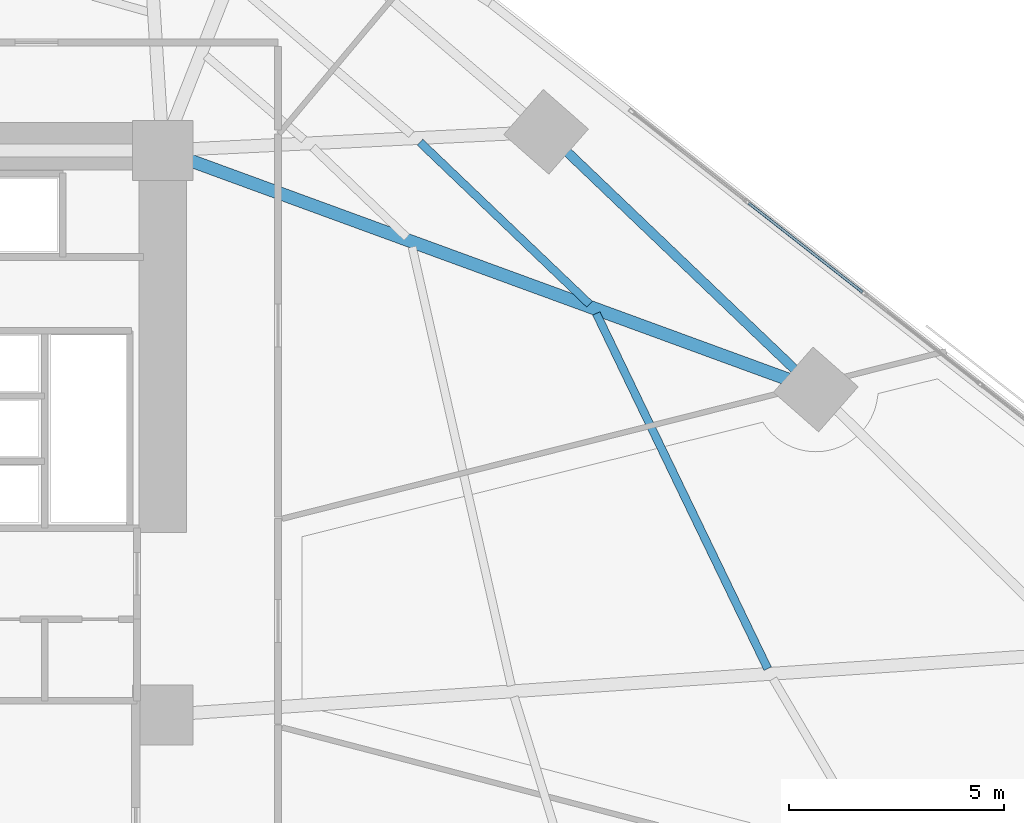
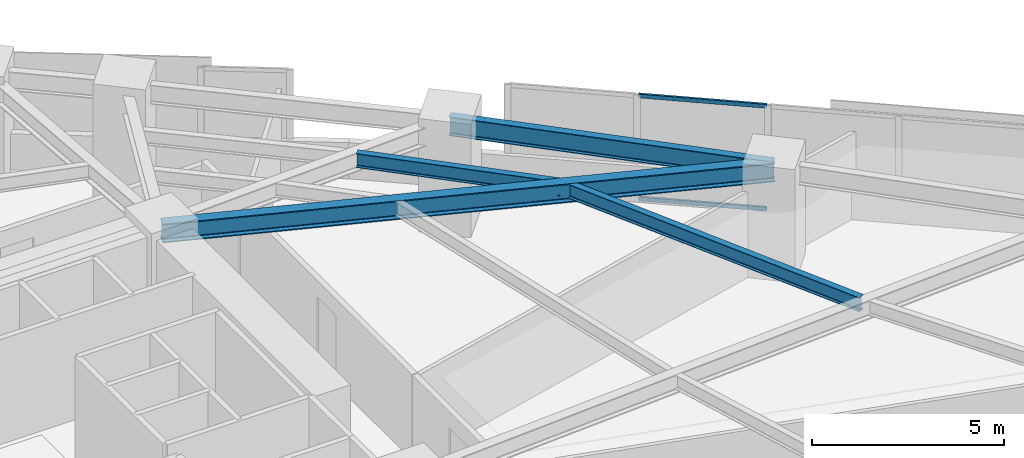
# One storey, part 6 of 16: 4 beams, 2 members, 1 element without a shape of its own.
"""IFC4 building model written with IfcOpenShell, lengths in metres."""

from ifc_helpers import new_model, si_unit, direction, frame, origin, origin_2d, place, context, subcontext, project, spatial, hollow_rectangle, i_section, extrude, material, material_profile, profile_set, type_object, element, aggregate, save


model = new_model("IFC4")

# Units and contexts
model_context = context("Model", 3, precision=1e-05, world=origin(), true_north=direction((0.0, 1.0)))
body_context = subcontext(model_context, "Body", "Model", "MODEL_VIEW")
ifc_project = project(units=[si_unit("LENGTHUNIT", "METRE"), si_unit("AREAUNIT", "SQUARE_METRE"), si_unit("VOLUMEUNIT", "CUBIC_METRE"), si_unit("PLANEANGLEUNIT", "RADIAN"), si_unit("MASSUNIT", "GRAM", prefix="KILO")], contexts=[model_context])

# Site, building, storey
site_placement = place(None, origin())
site = spatial("IfcSite", under=ifc_project, at=site_placement, CompositionType="ELEMENT")
building_placement = place(site_placement, origin())
building = spatial("IfcBuilding", under=site, at=building_placement, Name="Narakoshi Arena Tower", CompositionType="ELEMENT")
storey_placement = place(building_placement, frame((0.0, 0.0, 66.89990234375)))
storey = spatial("IfcBuildingStorey", under=building, at=storey_placement, Name="L17", CompositionType="ELEMENT", Elevation=66.89990234375)

# Beams
ifc_material_1 = material(Name="Structural steel S355J2", Category="steel")
ifc_material_profile_1 = material_profile(ifc_material_1, i_section(OverallWidth=0.219970703125, OverallDepth=0.60009765625, WebThickness=0.011962890625, FlangeThickness=0.01904296875, FilletRadius=0.02392578125, at=origin_2d()), Name="IPE600")
ifc_profile_set_1 = profile_set([ifc_material_profile_1], Name="Structural steel S355J2")
beam_type_1 = type_object("IfcBeamType", Name="BM-EDGE-600", PredefinedType="BEAM", material=ifc_profile_set_1)
beam_1_placement = place(storey_placement, frame((100.76318359375, 50.931640625, 3.0400390625), z_axis=(-0.723088904438, 0.690754975572, 0.0), x_axis=(-0.690754975572, -0.723088904438, 0.0)))
element("IfcBeam", 1, at=beam_1_placement, inside=storey, type_object=beam_type_1, Name="L17 Perimeter Edge Girder 07", PredefinedType="BEAM", context=body_context, shape_type="SweptSolid", body=[
    extrude(i_section(OverallWidth=0.219970703125, OverallDepth=0.60009765625, WebThickness=0.011962890625, FlangeThickness=0.01904296875, FilletRadius=0.02392578125, at=origin_2d()), origin(), (0.0, 0.0, 1.0), 8.690673828125),
])
ifc_material_profile_2 = material_profile(ifc_material_1, i_section(OverallWidth=0.300048828125, OverallDepth=0.60009765625, WebThickness=0.015380859375, FlangeThickness=0.030029296875, FilletRadius=0.027099609375, at=origin_2d()), Name="HE600B")
ifc_profile_set_2 = profile_set([ifc_material_profile_2], Name="Structural steel S355J2")
beam_type_2 = type_object("IfcBeamType", Name="BM-PRI-600", PredefinedType="BEAM", material=ifc_profile_set_2)
beam_2_placement = place(storey_placement, frame((85.550048828125, 56.5, 3.0400390625), z_axis=(0.939071487396, -0.343721895664, 0.0), x_axis=(0.343721895664, 0.939071487396, 0.0)))
element("IfcBeam", 2, at=beam_2_placement, inside=storey, type_object=beam_type_2, Name="L17 Radial Primary Floor Girder 07", PredefinedType="BEAM", context=body_context, shape_type="SweptSolid", body=[
    extrude(i_section(OverallWidth=0.300048828125, OverallDepth=0.60009765625, WebThickness=0.015380859375, FlangeThickness=0.030029296875, FilletRadius=0.027099609375, at=origin_2d()), origin(), (0.0, 0.0, 1.0), 16.2001953125),
])
ifc_material_profile_3 = material_profile(ifc_material_1, i_section(OverallWidth=0.18994140625, OverallDepth=0.449951171875, WebThickness=0.009521484375, FlangeThickness=0.0146484375, FilletRadius=0.02099609375, at=origin_2d()), Name="IPE450")
ifc_profile_set_3 = profile_set([ifc_material_profile_3], Name="Structural steel S355J2")
beam_type_3 = type_object("IfcBeamType", Name="BM-SEC-450", PredefinedType="JOIST", material=ifc_profile_set_3)
beam_3_placement = place(storey_placement, frame((99.6416015625, 44.428955078125, 3.114990234375), z_axis=(-0.434540970974, 0.900652066308, 0.0), x_axis=(-0.900652066308, -0.434540970974, 0.0)))
element("IfcBeam", 3, at=beam_3_placement, inside=storey, type_object=beam_type_3, Name="L17 Composite Secondary Floor Joist 04", PredefinedType="JOIST", context=body_context, shape_type="SweptSolid", body=[
    extrude(i_section(OverallWidth=0.18994140625, OverallDepth=0.449951171875, WebThickness=0.009521484375, FlangeThickness=0.0146484375, FilletRadius=0.02099609375, at=origin_2d()), origin(), (0.0, 0.0, 1.0), 9.187255859375),
])
beam_4_placement = place(storey_placement, frame((95.4931640625, 52.918212890625, 3.114990234375), z_axis=(-0.723113139165, 0.690729605538, 0.0), x_axis=(-0.690729605538, -0.723113139165, 0.0)))
element("IfcBeam", 4, at=beam_4_placement, inside=storey, type_object=beam_type_3, Name="L17 Composite Secondary Floor Joist 06", PredefinedType="JOIST", context=body_context, shape_type="SweptSolid", body=[
    extrude(i_section(OverallWidth=0.18994140625, OverallDepth=0.449951171875, WebThickness=0.009521484375, FlangeThickness=0.0146484375, FilletRadius=0.02099609375, at=origin_2d()), origin(), (0.0, 0.0, 1.0), 5.4658203125),
])

# Curtain wall, members
ifc_material_2 = material(Name="Anodised bronze aluminium 6063-T6", Category="aluminium")
curtain_wall_type = type_object("IfcCurtainWallType", Name="CW-HYP-LOW", PredefinedType="NOTDEFINED", material=ifc_material_2)
curtain_wall_placement = place(storey_placement, origin())
curtain_wall = element("IfcCurtainWall", 5, at=curtain_wall_placement, inside=storey, type_object=curtain_wall_type, Name="L17 Folded Hypotenuse Curtain Wall 1-1", PredefinedType="NOTDEFINED")
ifc_material_profile_4 = material_profile(ifc_material_2, hollow_rectangle(XDim=0.06494140625, YDim=0.1298828125, WallThickness=0.00390625, OuterFilletRadius=0.0048828125, at=origin_2d()), Name="TRN130x65x4")
ifc_profile_set_4 = profile_set([ifc_material_profile_4], Name="Anodised bronze aluminium 6063-T6")
member_type = type_object("IfcMemberType", Name="MEM-TRN-130", PredefinedType="USERDEFINED", material=ifc_profile_set_4)
member_1_placement = place(storey_placement, frame((101.851806640625, 53.196533203125, 0.03271484375), z_axis=(-0.787400998112, 0.616441131149, 0.0), x_axis=(-0.616441131149, -0.787400998112, 0.0)))
member_1 = element("IfcMember", 6, at=member_1_placement, type_object=member_type, Name="CW-01 transom 8.1", ObjectType="TRANSOM", PredefinedType="USERDEFINED", context=body_context, shape_type="SweptSolid", body=[
    extrude(hollow_rectangle(XDim=0.06494140625, YDim=0.1298828125, WallThickness=0.00390625, OuterFilletRadius=0.0048828125, at=origin_2d()), origin(), (0.0, 0.0, 1.0), 3.368896484375),
])
member_2_placement = place(storey_placement, frame((101.851806640625, 53.196533203125, 3.3076171875), z_axis=(-0.787400998112, 0.616441131149, 0.0), x_axis=(-0.616441131149, -0.787400998112, 0.0)))
member_2 = element("IfcMember", 7, at=member_2_placement, type_object=member_type, Name="CW-01 transom 8.2", ObjectType="TRANSOM", PredefinedType="USERDEFINED", context=body_context, shape_type="SweptSolid", body=[
    extrude(hollow_rectangle(XDim=0.06494140625, YDim=0.1298828125, WallThickness=0.00390625, OuterFilletRadius=0.0048828125, at=origin_2d()), origin(), (0.0, 0.0, 1.0), 3.368896484375),
])
aggregate(curtain_wall, [member_1, member_2])

save(model, "model.ifc")
